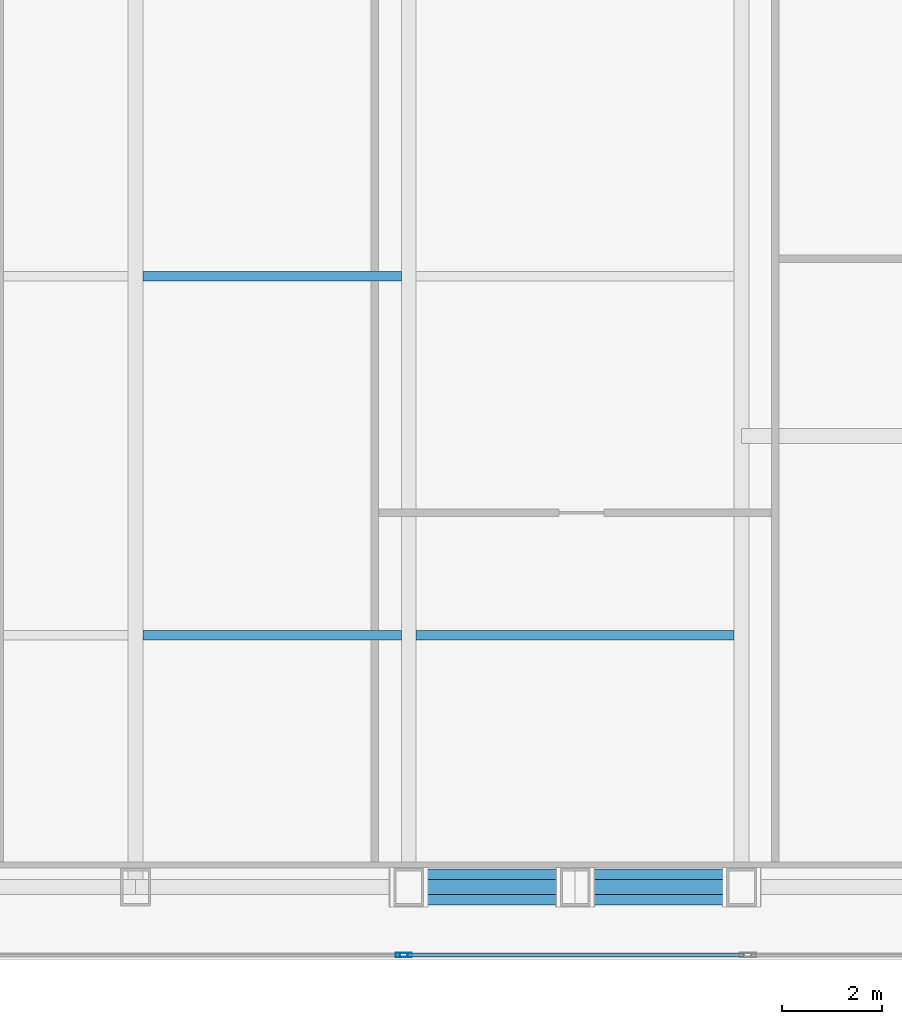
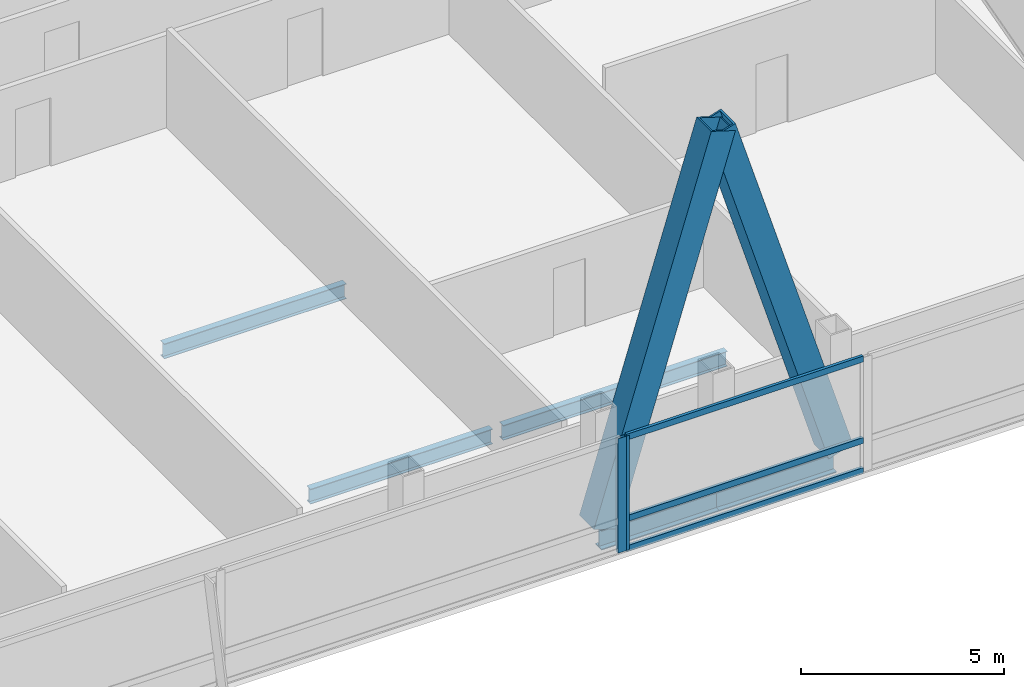
# One storey, part 13 of 32: 7 members, 5 beams, 2 elements without a shape of their own.
"""IFC4 building model written with IfcOpenShell, lengths in metres."""

from ifc_helpers import new_model, si_unit, direction, frame, origin, origin_2d, place, context, subcontext, project, spatial, hollow_rectangle, i_section, extrude, material, material_profile, profile_set, type_object, element, aggregate, save


model = new_model("IFC4")

# Units and contexts
model_context = context("Model", 3, precision=1e-05, world=origin(), true_north=direction((0.0, 1.0)))
body_context = subcontext(model_context, "Body", "Model", "MODEL_VIEW")
ifc_project = project(units=[si_unit("LENGTHUNIT", "METRE"), si_unit("AREAUNIT", "SQUARE_METRE"), si_unit("VOLUMEUNIT", "CUBIC_METRE"), si_unit("PLANEANGLEUNIT", "RADIAN"), si_unit("MASSUNIT", "GRAM", prefix="KILO")], contexts=[model_context])

# Site, building, storey
site_placement = place(None, origin())
site = spatial("IfcSite", under=ifc_project, at=site_placement, CompositionType="ELEMENT")
building_placement = place(site_placement, origin())
building = spatial("IfcBuilding", under=site, at=building_placement, Name="Khoronbel Lancet Exchange", CompositionType="ELEMENT")
storey_placement = place(building_placement, frame((0.0, 0.0, 221.0)))
storey = spatial("IfcBuildingStorey", under=building, at=storey_placement, Name="L56", CompositionType="ELEMENT", Elevation=221.0)

# Beams
ifc_material_1 = material(Name="Steel S355", Category="steel")
ifc_material_profile_1 = material_profile(ifc_material_1, i_section(OverallWidth=0.18994140625, OverallDepth=0.449951171875, WebThickness=0.009521484375, FlangeThickness=0.0146484375, at=origin_2d()), Name="IPE 450")
ifc_profile_set_1 = profile_set([ifc_material_profile_1], Name="Steel S355")
beam_type_1 = type_object("IfcBeamType", Name="BM-BJ4", PredefinedType="JOIST", material=ifc_profile_set_1)
beam_1_placement = place(storey_placement, frame((42.675048828125, 15.199951171875, -0.385009765625), z_axis=(1.0, 0.0, 0.0), x_axis=(0.0, 1.0, 0.0)))
element("IfcBeam", 1, at=beam_1_placement, inside=storey, type_object=beam_type_1, Name="Level L56 secondary composite joist J04", PredefinedType="JOIST", context=body_context, shape_type="SweptSolid", body=[
    extrude(i_section(OverallWidth=0.18994140625, OverallDepth=0.449951171875, WebThickness=0.009521484375, FlangeThickness=0.0146484375, at=origin_2d()), origin(), (0.0, 0.0, 1.0), 5.175048828125),
])
beam_2_placement = place(storey_placement, frame((48.14990234375, 15.199951171875, -0.385009765625), z_axis=(1.0, 0.0, 0.0), x_axis=(0.0, 1.0, 0.0)))
element("IfcBeam", 2, at=beam_2_placement, inside=storey, type_object=beam_type_1, Name="Level L56 secondary composite joist J05", PredefinedType="JOIST", context=body_context, shape_type="SweptSolid", body=[
    extrude(i_section(OverallWidth=0.18994140625, OverallDepth=0.449951171875, WebThickness=0.009521484375, FlangeThickness=0.0146484375, at=origin_2d()), origin(), (0.0, 0.0, 1.0), 6.375),
])
beam_3_placement = place(storey_placement, frame((42.675048828125, 22.39990234375, -0.385009765625), z_axis=(1.0, 0.0, 0.0), x_axis=(0.0, 1.0, 0.0)))
element("IfcBeam", 3, at=beam_3_placement, inside=storey, type_object=beam_type_1, Name="Level L56 secondary composite joist J09", PredefinedType="JOIST", context=body_context, shape_type="SweptSolid", body=[
    extrude(i_section(OverallWidth=0.18994140625, OverallDepth=0.449951171875, WebThickness=0.009521484375, FlangeThickness=0.0146484375, at=origin_2d()), origin(), (0.0, 0.0, 1.0), 5.175048828125),
])
ifc_material_profile_2 = material_profile(ifc_material_1, i_section(OverallWidth=0.300048828125, OverallDepth=0.60009765625, WebThickness=0.015380859375, FlangeThickness=0.030029296875, at=origin_2d()), Name="HEB 600")
ifc_profile_set_2 = profile_set([ifc_material_profile_2], Name="Steel S355")
beam_type_2 = type_object("IfcBeamType", Name="BM-BSP2", PredefinedType="SPANDREL", material=ifc_profile_set_2)
beam_4_placement = place(storey_placement, frame((48.0, 10.14990234375, -0.4599609375), z_axis=(1.0, 0.0, 0.0), x_axis=(0.0, 1.0, 0.0)))
element("IfcBeam", 4, at=beam_4_placement, inside=storey, type_object=beam_type_2, Name="Level L56 perimeter spandrel beam SP07", PredefinedType="SPANDREL", context=body_context, shape_type="SweptSolid", body=[
    extrude(i_section(OverallWidth=0.300048828125, OverallDepth=0.60009765625, WebThickness=0.015380859375, FlangeThickness=0.030029296875, at=origin_2d()), origin(), (0.0, 0.0, 1.0), 3.33740234375),
])
beam_5_placement = place(storey_placement, frame((51.33740234375, 10.14990234375, -0.4599609375), z_axis=(1.0, 0.0, 0.0), x_axis=(0.0, 1.0, 0.0)))
element("IfcBeam", 5, at=beam_5_placement, inside=storey, type_object=beam_type_2, Name="Level L56 perimeter spandrel beam SP08", PredefinedType="SPANDREL", context=body_context, shape_type="SweptSolid", body=[
    extrude(i_section(OverallWidth=0.300048828125, OverallDepth=0.60009765625, WebThickness=0.015380859375, FlangeThickness=0.030029296875, at=origin_2d()), origin(), (0.0, 0.0, 1.0), 3.337646484375),
])

# Curtain wall, member
ifc_material_2 = material(Name="Low-E Solar Control Insulating Glass", Category="glass")
curtain_wall_type = type_object("IfcCurtainWallType", Name="CW-3", PredefinedType="NOTDEFINED", material=ifc_material_2)
curtain_wall_1_placement = place(storey_placement, origin())
curtain_wall_1 = element("IfcCurtainWall", 6, at=curtain_wall_1_placement, inside=storey, type_object=curtain_wall_type, Name="Unitised curtain wall CW-L56-SCV", PredefinedType="NOTDEFINED")
ifc_material_3 = material(Name="Bronze-Anodised Aluminium 6063-T6", Category="aluminium")
ifc_material_profile_3 = material_profile(ifc_material_3, hollow_rectangle(XDim=0.0849609375, YDim=0.239990234375, WallThickness=0.006103515625, at=origin_2d()), Name="ALU MULLION 85x240")
ifc_profile_set_3 = profile_set([ifc_material_profile_3], Name="Bronze-Anodised Aluminium 6063-T6")
member_type_1 = type_object("IfcMemberType", Name="MEM-CWM1", PredefinedType="MULLION", material=ifc_profile_set_3)
member_1_placement = place(storey_placement, frame((47.857421875, 8.7900390625, 0.0), z_axis=(0.0, 0.0, 1.0), x_axis=(0.0, 1.0, 0.0)))
member_1 = element("IfcMember", 7, at=member_1_placement, type_object=member_type_1, Name="CW3 mullion 3", PredefinedType="MULLION", context=body_context, shape_type="SweptSolid", body=[
    extrude(hollow_rectangle(XDim=0.0849609375, YDim=0.239990234375, WallThickness=0.006103515625, at=origin_2d()), origin(), (0.0, 0.0, 1.0), 3.43994140625),
])
aggregate(curtain_wall_1, [member_1])

# Curtain wall, members
curtain_wall_2_placement = place(storey_placement, origin())
curtain_wall_2 = element("IfcCurtainWall", 8, at=curtain_wall_2_placement, inside=storey, type_object=curtain_wall_type, Name="Unitised curtain wall CW-L56-SEB", PredefinedType="NOTDEFINED")
member_2_placement = place(storey_placement, frame((47.9423828125, 8.7900390625, 0.0), z_axis=(0.0, 0.0, 1.0), x_axis=(0.0, 1.0, 0.0)))
member_2 = element("IfcMember", 9, at=member_2_placement, type_object=member_type_1, Name="CW3 mullion 1", PredefinedType="MULLION", context=body_context, shape_type="SweptSolid", body=[
    extrude(hollow_rectangle(XDim=0.0849609375, YDim=0.239990234375, WallThickness=0.006103515625, at=origin_2d()), origin(), (0.0, 0.0, 1.0), 3.43994140625),
])
ifc_material_profile_4 = material_profile(ifc_material_3, hollow_rectangle(XDim=0.0849609375, YDim=0.179931640625, WallThickness=0.0048828125, at=origin_2d()), Name="ALU TRANSOM 85x180")
ifc_profile_set_4 = profile_set([ifc_material_profile_4], Name="Bronze-Anodised Aluminium 6063-T6")
member_type_2 = type_object("IfcMemberType", Name="MEM-CWT1", PredefinedType="USERDEFINED", material=ifc_profile_set_4)
member_3_placement = place(storey_placement, frame((47.985107421875, 8.7900390625, 0.04248046875), z_axis=(1.0, 0.0, 0.0), x_axis=(0.0, 1.0, 0.0)))
member_3 = element("IfcMember", 10, at=member_3_placement, type_object=member_type_2, Name="CW3 transom 1.1", ObjectType="TRANSOM", PredefinedType="USERDEFINED", context=body_context, shape_type="SweptSolid", body=[
    extrude(hollow_rectangle(XDim=0.0849609375, YDim=0.179931640625, WallThickness=0.0048828125, at=origin_2d()), origin(), (0.0, 0.0, 1.0), 6.72998046875),
])
member_4_placement = place(storey_placement, frame((47.985107421875, 8.7900390625, 0.949951171875), z_axis=(1.0, 0.0, 0.0), x_axis=(0.0, 1.0, 0.0)))
member_4 = element("IfcMember", 11, at=member_4_placement, type_object=member_type_2, Name="CW3 transom 1.2", ObjectType="TRANSOM", PredefinedType="USERDEFINED", context=body_context, shape_type="SweptSolid", body=[
    extrude(hollow_rectangle(XDim=0.0849609375, YDim=0.179931640625, WallThickness=0.0048828125, at=origin_2d()), origin(), (0.0, 0.0, 1.0), 6.72998046875),
])
member_5_placement = place(storey_placement, frame((47.985107421875, 8.7900390625, 3.3974609375), z_axis=(1.0, 0.0, 0.0), x_axis=(0.0, 1.0, 0.0)))
member_5 = element("IfcMember", 12, at=member_5_placement, type_object=member_type_2, Name="CW3 transom 1.3", ObjectType="TRANSOM", PredefinedType="USERDEFINED", context=body_context, shape_type="SweptSolid", body=[
    extrude(hollow_rectangle(XDim=0.0849609375, YDim=0.179931640625, WallThickness=0.0048828125, at=origin_2d()), origin(), (0.0, 0.0, 1.0), 6.72998046875),
])
aggregate(curtain_wall_2, [member_2, member_3, member_4, member_5])

# Members
ifc_material_4 = material(Name="Steel S460", Category="steel")
ifc_material_profile_5 = material_profile(ifc_material_4, hollow_rectangle(XDim=0.719970703125, YDim=0.719970703125, WallThickness=0.050048828125, at=origin_2d()), Name="BOX 720x720x50")
ifc_profile_set_5 = profile_set([ifc_material_profile_5], Name="Steel S460")
member_type_3 = type_object("IfcMemberType", Name="MEM-MB2", PredefinedType="BRACE", material=ifc_profile_set_5)
for number, where, z_axis, x_axis, name in (
    (13, (48.0, 10.14990234375, 0.0), (0.295242108906, 0.0, 0.955422470496), (0.0, 1.0, 0.0), "Perimeter lancet brace tier 19 S-E-L"),
    (14, (54.675048828125, 10.14990234375, 0.0), (-0.295261823895, 0.0, 0.955416378), (0.0, -1.0, 0.0), "Perimeter lancet brace tier 19 S-E-R"),
):
    element("IfcMember", number, at=place(storey_placement, frame(where, z_axis=z_axis, x_axis=x_axis)), inside=storey, type_object=member_type_3, Name=name, PredefinedType="BRACE", context=body_context, shape_type="SweptSolid", body=[
        extrude(hollow_rectangle(XDim=0.719970703125, YDim=0.719970703125, WallThickness=0.050048828125, at=origin_2d()), origin(), (0.0, 0.0, 1.0), 11.303955078125),
    ])

save(model, "model.ifc")
